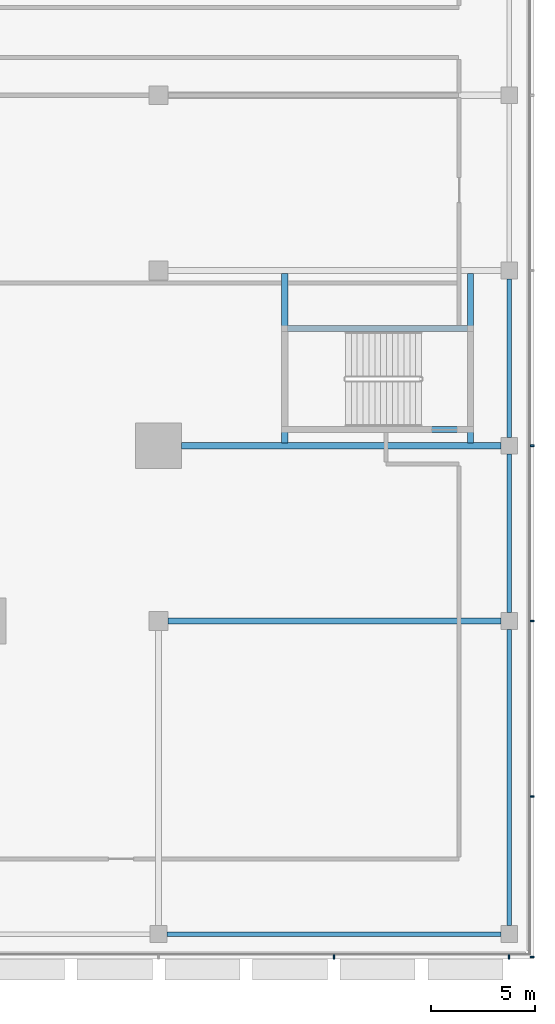
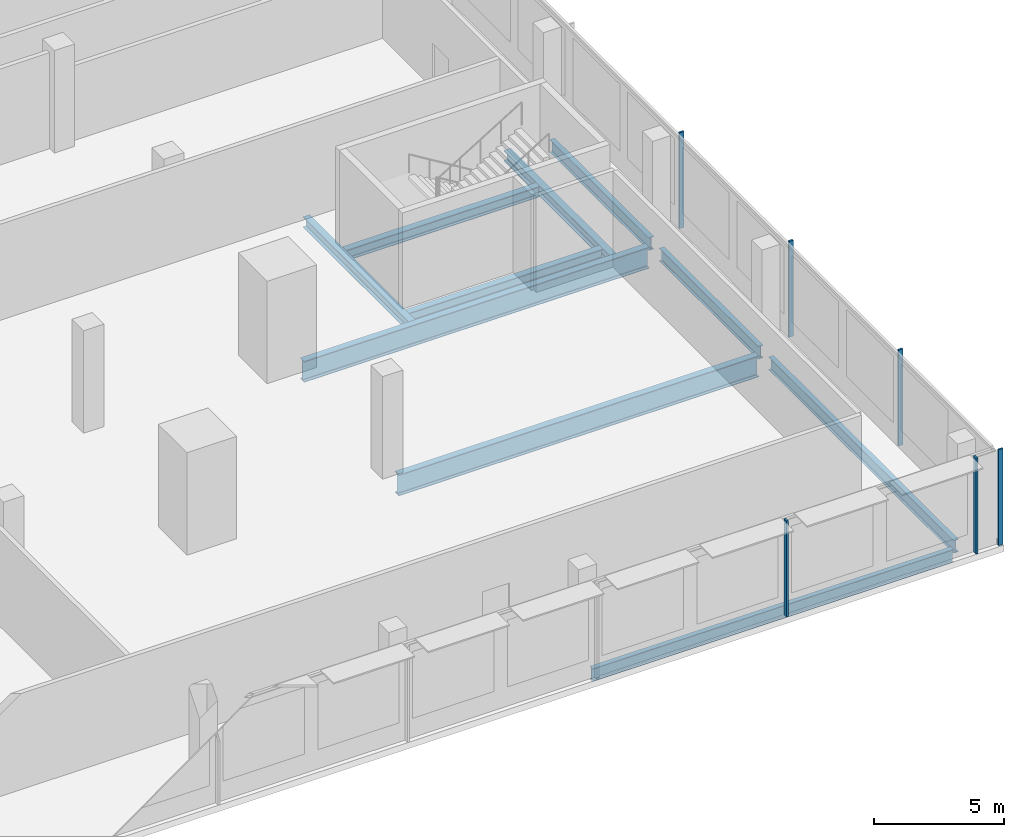
# One storey, part 12 of 39: 10 beams, 6 members, 2 elements without a shape of their own.
"""IFC4 building model written with IfcOpenShell, lengths in metres."""

import ifcopenshell
import ifcopenshell.guid

model = None  # the IFC model being written
_history = None  # IfcOwnerHistory: only IFC2X3 demands one
_inside = {}  # id of a spatial element -> (the spatial element, [elements in it])
_under = {}  # id of a project, library or spatial element -> (it, [spatial elements below it])
_declared = {}  # id of a project -> (the project, [libraries it declares])
_typed = {}  # id of a type object -> (the type object, [elements of that type])
_made_of = {}  # id of a material, layer set ... -> (it, [elements and type objects made of it])


def new_model(schema):
    """Start an empty IFC model of exactly this schema.

    Asked for "IFC4X3", IfcOpenShell would pick the latest addendum, in which some entities
    have other attributes; the version numbers below select the first issue.
    IFC2X3 requires an IfcOwnerHistory on every rooted entity: one is made here for all.
    """
    global model, _history
    if schema == "IFC4X3":
        model = ifcopenshell.file(schema_version=(4, 3, 0, 0))
    else:
        model = ifcopenshell.file(schema=schema)
    _inside.clear()
    _under.clear()
    _declared.clear()
    _typed.clear()
    _made_of.clear()
    _history = None
    if model.schema == "IFC2X3":
        org = make("IfcOrganization", Name="unknown")
        user = make(
            "IfcPersonAndOrganization",
            ThePerson=make("IfcPerson", FamilyName="unknown"),
            TheOrganization=org,
        )
        app = make(
            "IfcApplication",
            ApplicationDeveloper=org,
            Version="unknown",
            ApplicationFullName="unknown",
            ApplicationIdentifier="unknown",
        )
        _history = make(
            "IfcOwnerHistory",
            OwningUser=user,
            OwningApplication=app,
            ChangeAction="ADDED",
            CreationDate=0,
        )
    return model


def make(cls, **values):
    """One entity of the class cls with the attributes given. An attribute that is None is left unset."""
    return model.create_entity(
        cls, **{name: value for name, value in values.items() if value is not None}
    )


def rooted(cls, **values):
    """An entity with a GlobalId (a new one), such as an element, a storey or a relation."""
    return make(cls, GlobalId=ifcopenshell.guid.new(), OwnerHistory=_history, **values)


def si_unit(unit_type, name, prefix=None):
    """IfcSIUnit, for example si_unit("LENGTHUNIT", "METRE", prefix="MILLI")."""
    return make("IfcSIUnit", UnitType=unit_type, Prefix=prefix, Name=name)


def assignment(units):
    """IfcUnitAssignment: the units of a project."""
    return None if units is None else make("IfcUnitAssignment", Units=units)


def point(xyz):
    """IfcCartesianPoint."""
    return None if xyz is None else make("IfcCartesianPoint", Coordinates=xyz)


def direction(xyz):
    """IfcDirection."""
    return None if xyz is None else make("IfcDirection", DirectionRatios=xyz)


def frame(location, z_axis=None, x_axis=None):
    """IfcAxis2Placement3D, a coordinate frame: its origin and axes. An axis left out is left unset."""
    return make(
        "IfcAxis2Placement3D",
        Location=point(location),
        Axis=direction(z_axis),
        RefDirection=direction(x_axis),
    )


def frame_2d(location, x_axis=None):
    """IfcAxis2Placement2D, a coordinate frame in the plane: its origin and x axis."""
    return make(
        "IfcAxis2Placement2D", Location=point(location), RefDirection=direction(x_axis)
    )


def origin():
    """The frame at (0, 0, 0) with its axes left unset."""
    return frame((0.0, 0.0, 0.0))


def origin_2d():
    """The frame at (0, 0) in the plane with its x axis left unset."""
    return frame_2d((0.0, 0.0))


def place(relative_to, where):
    """IfcLocalPlacement: puts the frame where relative to a parent placement (None: the world)."""
    return make(
        "IfcLocalPlacement", PlacementRelTo=relative_to, RelativePlacement=where
    )


def context(
    kind, dimensions, precision=None, world=None, true_north=None, identifier=None
):
    """IfcGeometricRepresentationContext, for example the 3D "Model" context."""
    return make(
        "IfcGeometricRepresentationContext",
        ContextIdentifier=identifier,
        ContextType=kind,
        CoordinateSpaceDimension=dimensions,
        Precision=precision,
        WorldCoordinateSystem=world,
        TrueNorth=true_north,
    )


def subcontext(parent, identifier, kind, view, scale=None):
    """IfcGeometricRepresentationSubContext, for example "Body" below "Model"."""
    return make(
        "IfcGeometricRepresentationSubContext",
        ContextIdentifier=identifier,
        ContextType=kind,
        ParentContext=parent,
        TargetScale=scale,
        TargetView=view,
    )


def project(units=None, contexts=None):
    """IfcProject with its units and contexts."""
    return rooted(
        "IfcProject",
        Name="project",
        RepresentationContexts=contexts,
        UnitsInContext=assignment(units),
    )


def spatial(cls, under=None, at=None, **own):
    """A site, building, storey or space (cls), placed at a placement, below another one or the project."""
    s = rooted(cls, ObjectPlacement=at, **own)
    if under is not None:
        _under.setdefault(under.id(), (under, []))[1].append(s)
    return s


def profile(cls, at=None, kind="AREA", **sizes):
    """A parametric profile (cls). Its sizes go by their IFC names, for example OverallWidth=200.0."""
    return make(cls, ProfileType=kind, Position=at, **sizes)


def rectangle(**sizes):
    """IfcRectangleProfileDef."""
    return profile("IfcRectangleProfileDef", **sizes)


def i_section(**sizes):
    """IfcIShapeProfileDef."""
    return profile("IfcIShapeProfileDef", **sizes)


def extrude(swept, where, along, depth):
    """IfcExtrudedAreaSolid: the profile swept, set in the frame where, extruded along a direction by depth."""
    return make(
        "IfcExtrudedAreaSolid",
        SweptArea=swept,
        Position=where,
        ExtrudedDirection=direction(along),
        Depth=depth,
    )


def shape(context_of_items, identifier, shape_type, items):
    """IfcShapeRepresentation: the items that make up one representation, for example the "Body"."""
    return make(
        "IfcShapeRepresentation",
        ContextOfItems=context_of_items,
        RepresentationIdentifier=identifier,
        RepresentationType=shape_type,
        Items=items,
    )


def material(Name=None, Category=None):
    """IfcMaterial."""
    return make("IfcMaterial", Name=Name, Category=Category)


def material_profile(
    of_material, cross_section, Name=None, Category=None, Priority=None
):
    """IfcMaterialProfile: a cross section and its material."""
    return make(
        "IfcMaterialProfile",
        Name=Name,
        Material=of_material,
        Profile=cross_section,
        Priority=Priority,
        Category=Category,
    )


def profile_set(profiles, Name=None, composite=None):
    """IfcMaterialProfileSet."""
    return make(
        "IfcMaterialProfileSet",
        Name=Name,
        MaterialProfiles=profiles,
        CompositeProfile=composite,
    )


def made_of(thing, what):
    """Note that an element or type object is made of a material, layer set ...; save() writes the relation."""
    if what is not None:
        _made_of.setdefault(what.id(), (what, []))[1].append(thing)
    return thing


def type_object(cls, material=None, **own):
    """A type object (cls), such as IfcWallType, which elements share."""
    return made_of(rooted(cls, **own), material)


def element(
    cls,
    number,
    at=None,
    inside=None,
    cuts=None,
    type_object=None,
    material=None,
    context=None,
    identifier="Body",
    shape_type=None,
    held_by="IfcProductDefinitionShape",
    body=None,
    shapes=None,
    **own,
):
    """One element of the class cls, such as IfcWall. Its Tag is "e" and its number.

    at: its placement. inside: the storey or other place that contains it. cuts: it is an
    opening in that element (IfcRelVoidsElement). A single representation is given by context,
    identifier, shape_type and body (its items); several are given by shapes. held_by: the class
    of the entity that holds the representations. save() writes the other relations.
    """
    e = rooted(cls, Tag="e%d" % number, ObjectPlacement=at, **own)
    if body is not None:
        shapes = [shape(context, identifier, shape_type, body)]
    if shapes is not None:
        e.Representation = make(held_by, Representations=shapes)
    if inside is not None:
        _inside.setdefault(inside.id(), (inside, []))[1].append(e)
    if cuts is not None:
        rooted(
            "IfcRelVoidsElement", RelatingBuildingElement=cuts, RelatedOpeningElement=e
        )
    if type_object is not None:
        _typed.setdefault(type_object.id(), (type_object, []))[1].append(e)
    return made_of(e, material)


def aggregate(whole, parts):
    """IfcRelAggregates: a whole, such as a stair, and the parts it consists of."""
    return rooted("IfcRelAggregates", RelatingObject=whole, RelatedObjects=parts)


def save(model, path):
    """Write the relations noted so far, then the file.

    IfcRelAggregates (storeys below a building ...), IfcRelContainedInSpatialStructure (elements
    in a storey), IfcRelDefinesByType, IfcRelAssociatesMaterial and IfcRelDeclares: one each for
    every whole, place, type object, material and project.
    """
    for whole, parts in _under.values():
        aggregate(whole, parts)
    for where, things in _inside.values():
        rooted(
            "IfcRelContainedInSpatialStructure",
            RelatedElements=things,
            RelatingStructure=where,
        )
    for kind, things in _typed.values():
        rooted("IfcRelDefinesByType", RelatedObjects=things, RelatingType=kind)
    for what, things in _made_of.values():
        rooted("IfcRelAssociatesMaterial", RelatedObjects=things, RelatingMaterial=what)
    for by, libraries in _declared.values():
        rooted("IfcRelDeclares", RelatingContext=by, RelatedDefinitions=libraries)
    model.write(path)


model = new_model("IFC4")

# Units and contexts
model_context = context("Model", 3, precision=1e-05, world=origin(), true_north=direction((0.0, 1.0)))
body_context = subcontext(model_context, "Body", "Model", "MODEL_VIEW")
ifc_project = project(units=[si_unit("LENGTHUNIT", "METRE"), si_unit("AREAUNIT", "SQUARE_METRE"), si_unit("VOLUMEUNIT", "CUBIC_METRE"), si_unit("PLANEANGLEUNIT", "RADIAN"), si_unit("MASSUNIT", "GRAM", prefix="KILO")], contexts=[model_context])

# Site, building, storey
site_placement = place(None, origin())
site = spatial("IfcSite", under=ifc_project, at=site_placement, CompositionType="ELEMENT")
building_placement = place(site_placement, origin())
building = spatial("IfcBuilding", under=site, at=building_placement, Name="Saffron Gate Tower", CompositionType="ELEMENT")
storey_placement = place(building_placement, frame((0.0, 0.0, 14.39990234375)))
storey = spatial("IfcBuildingStorey", under=building, at=storey_placement, Name="L02", CompositionType="ELEMENT", Elevation=14.39990234375)

# Beams
ifc_material_1 = material(Name="Structural steel S355", Category="steel")
ifc_material_profile_1 = material_profile(ifc_material_1, i_section(OverallWidth=0.219970703125, OverallDepth=0.60009765625, WebThickness=0.011962890625, FlangeThickness=0.01904296875, FilletRadius=0.02392578125, at=origin_2d()))
ifc_profile_set_1 = profile_set([ifc_material_profile_1], Name="Structural steel S355")
beam_type_1 = type_object("IfcBeamType", Name="B15 IPE 600", PredefinedType="BEAM", material=ifc_profile_set_1)
beam_1_placement = place(storey_placement, frame((125.800048828125, 16.800048828125, -0.599853515625), z_axis=(1.0, 0.0, 0.0), x_axis=(0.0, 1.0, 0.0)))
element("IfcBeam", 1, at=beam_1_placement, inside=storey, type_object=beam_type_1, Name="B15 PODIUM EDGE BEAM", PredefinedType="BEAM", context=body_context, shape_type="SweptSolid", body=[
    extrude(i_section(OverallWidth=0.219970703125, OverallDepth=0.60009765625, WebThickness=0.011962890625, FlangeThickness=0.01904296875, FilletRadius=0.02392578125, at=origin_2d()), origin(), (0.0, 0.0, 1.0), 16.0),
])
beam_2_placement = place(storey_placement, frame((142.199951171875, 17.199951171875, -0.599853515625), z_axis=(0.0, 1.0, 0.0), x_axis=(-1.0, 0.0, 0.0)))
element("IfcBeam", 2, at=beam_2_placement, inside=storey, type_object=beam_type_1, Name="B15 PODIUM EDGE BEAM", PredefinedType="BEAM", context=body_context, shape_type="SweptSolid", body=[
    extrude(i_section(OverallWidth=0.219970703125, OverallDepth=0.60009765625, WebThickness=0.011962890625, FlangeThickness=0.01904296875, FilletRadius=0.02392578125, at=origin_2d()), origin(), (0.0, 0.0, 1.0), 14.199951171875),
])
beam_3_placement = place(storey_placement, frame((142.199951171875, 32.199951171875, -0.599853515625), z_axis=(0.0, 1.0, 0.0), x_axis=(-1.0, 0.0, 0.0)))
element("IfcBeam", 3, at=beam_3_placement, inside=storey, type_object=beam_type_1, Name="B15 PODIUM EDGE BEAM", PredefinedType="BEAM", context=body_context, shape_type="SweptSolid", body=[
    extrude(i_section(OverallWidth=0.219970703125, OverallDepth=0.60009765625, WebThickness=0.011962890625, FlangeThickness=0.01904296875, FilletRadius=0.02392578125, at=origin_2d()), origin(), (0.0, 0.0, 1.0), 7.60009765625),
])
beam_4_placement = place(storey_placement, frame((142.199951171875, 40.60009765625, -0.599853515625), z_axis=(0.0, 1.0, 0.0), x_axis=(-1.0, 0.0, 0.0)))
element("IfcBeam", 4, at=beam_4_placement, inside=storey, type_object=beam_type_1, Name="B15 PODIUM EDGE BEAM", PredefinedType="BEAM", context=body_context, shape_type="SweptSolid", body=[
    extrude(i_section(OverallWidth=0.219970703125, OverallDepth=0.60009765625, WebThickness=0.011962890625, FlangeThickness=0.01904296875, FilletRadius=0.02392578125, at=origin_2d()), origin(), (0.0, 0.0, 1.0), 7.599853515625),
])
ifc_material_profile_2 = material_profile(ifc_material_1, i_section(OverallWidth=0.300048828125, OverallDepth=0.989990234375, WebThickness=0.0166015625, FlangeThickness=0.031005859375, FilletRadius=0.030029296875, at=origin_2d()))
ifc_profile_set_2 = profile_set([ifc_material_profile_2], Name="Structural steel S355")
beam_type_2 = type_object("IfcBeamType", Name="B21 HEA 1000", PredefinedType="BEAM", material=ifc_profile_set_2)
beam_5_placement = place(storey_placement, frame((141.800048828125, 31.800048828125, -0.794921875), z_axis=(-1.0, 0.0, 0.0), x_axis=(0.0, -1.0, 0.0)))
element("IfcBeam", 5, at=beam_5_placement, inside=storey, type_object=beam_type_2, Name="B21 PODIUM RING GIRDER", PredefinedType="BEAM", context=body_context, shape_type="SweptSolid", body=[
    extrude(i_section(OverallWidth=0.300048828125, OverallDepth=0.989990234375, WebThickness=0.0166015625, FlangeThickness=0.031005859375, FilletRadius=0.030029296875, at=origin_2d()), origin(), (0.0, 0.0, 1.0), 15.949951171875),
])
beam_6_placement = place(storey_placement, frame((141.800048828125, 40.199951171875, -0.794921875), z_axis=(-1.0, 0.0, 0.0), x_axis=(0.0, -1.0, 0.0)))
element("IfcBeam", 6, at=beam_6_placement, inside=storey, type_object=beam_type_2, Name="B21 PODIUM RING GIRDER", PredefinedType="BEAM", context=body_context, shape_type="SweptSolid", body=[
    extrude(i_section(OverallWidth=0.300048828125, OverallDepth=0.989990234375, WebThickness=0.0166015625, FlangeThickness=0.031005859375, FilletRadius=0.030029296875, at=origin_2d()), origin(), (0.0, 0.0, 1.0), 15.300048828125),
])
ifc_material_profile_3 = material_profile(ifc_material_1, i_section(OverallWidth=0.300048828125, OverallDepth=0.5, WebThickness=0.014404296875, FlangeThickness=0.028076171875, FilletRadius=0.027099609375, at=origin_2d()))
ifc_profile_set_3 = profile_set([ifc_material_profile_3], Name="Structural steel S355")
beam_type_3 = type_object("IfcBeamType", Name="B9 HEB 500", PredefinedType="BEAM", material=ifc_profile_set_3)
for number, where, z_axis, x_axis, name in (
    (7, (131.449951171875, 40.340087890625, -0.5498046875), (0.0, 1.0, 0.0), (-1.0, 0.0, 0.0), "B9 STAIR ENCLOSURE HEADER BEAM"),
    (8, (140.35009765625, 40.340087890625, -0.5498046875), (0.0, 1.0, 0.0), (-1.0, 0.0, 0.0), "B9 STAIR ENCLOSURE HEADER BEAM"),
):
    element("IfcBeam", number, at=place(storey_placement, frame(where, z_axis=z_axis, x_axis=x_axis)), inside=storey, type_object=beam_type_3, Name=name, PredefinedType="BEAM", context=body_context, shape_type="SweptSolid", body=[
        extrude(i_section(OverallWidth=0.300048828125, OverallDepth=0.5, WebThickness=0.014404296875, FlangeThickness=0.028076171875, FilletRadius=0.027099609375, at=origin_2d()), origin(), (0.0, 0.0, 1.0), 8.119873046875),
    ])
for number, where, z_axis, x_axis, name in (
    (9, (131.590087890625, 40.97509765625, -0.5498046875), (1.0, 0.0, 0.0), (0.0, 1.0, 0.0), "B9 STAIR ENCLOSURE TRIMMER BEAM"),
    (10, (131.590087890625, 45.824951171875, -0.5498046875), (1.0, 0.0, 0.0), (0.0, 1.0, 0.0), "B9 STAIR ENCLOSURE TRIMMER BEAM"),
):
    element("IfcBeam", number, at=place(storey_placement, frame(where, z_axis=z_axis, x_axis=x_axis)), inside=storey, type_object=beam_type_3, Name=name, PredefinedType="BEAM", context=body_context, shape_type="SweptSolid", body=[
        extrude(i_section(OverallWidth=0.300048828125, OverallDepth=0.5, WebThickness=0.014404296875, FlangeThickness=0.028076171875, FilletRadius=0.027099609375, at=origin_2d()), origin(), (0.0, 0.0, 1.0), 8.619873046875),
    ])

# Curtain wall, members
ifc_material_2 = material(Name="Aluminium, bronze anodised", Category="aluminium")
curtain_wall_type = type_object("IfcCurtainWallType", Name="CWS5 curtain wall podium ring base", PredefinedType="NOTDEFINED", material=ifc_material_2)
curtain_wall_1_placement = place(storey_placement, origin())
curtain_wall_1 = element("IfcCurtainWall", 11, at=curtain_wall_1_placement, inside=storey, type_object=curtain_wall_type, Name="CWS5 run 1", PredefinedType="NOTDEFINED")
ifc_material_profile_4 = material_profile(ifc_material_2, rectangle(XDim=0.199951171875, YDim=0.080078125, at=origin_2d()))
ifc_profile_set_4 = profile_set([ifc_material_profile_4], Name="Aluminium, bronze anodised")
member_type = type_object("IfcMemberType", Name="CWS5 mullion 80x200", PredefinedType="MULLION", material=ifc_profile_set_4)
member_1_placement = place(storey_placement, frame((133.800048828125, 15.699951171875, 0.0), z_axis=(0.0, 0.0, 1.0), x_axis=(0.0, 1.0, 0.0)))
member_1 = element("IfcMember", 12, at=member_1_placement, type_object=member_type, Name="CWS5 mullion 14", PredefinedType="MULLION", context=body_context, shape_type="SweptSolid", body=[
    extrude(rectangle(XDim=0.199951171875, YDim=0.080078125, at=origin_2d()), origin(), (0.0, 0.0, 1.0), 4.5),
])
member_2_placement = place(storey_placement, frame((142.199951171875, 15.699951171875, 0.0), z_axis=(0.0, 0.0, 1.0), x_axis=(0.0, 1.0, 0.0)))
member_2 = element("IfcMember", 13, at=member_2_placement, type_object=member_type, Name="CWS5 mullion 15", PredefinedType="MULLION", context=body_context, shape_type="SweptSolid", body=[
    extrude(rectangle(XDim=0.199951171875, YDim=0.080078125, at=origin_2d()), origin(), (0.0, 0.0, 1.0), 4.5),
])
aggregate(curtain_wall_1, [member_1, member_2])

curtain_wall_2_placement = place(storey_placement, origin())
curtain_wall_2 = element("IfcCurtainWall", 14, at=curtain_wall_2_placement, inside=storey, type_object=curtain_wall_type, Name="CWS5 run 2", PredefinedType="NOTDEFINED")
member_3_placement = place(storey_placement, frame((143.300048828125, 15.699951171875, 0.0), z_axis=(0.0, 0.0, 1.0), x_axis=(-1.0, 0.0, 0.0)))
member_3 = element("IfcMember", 15, at=member_3_placement, type_object=member_type, Name="CWS5 mullion 1", PredefinedType="MULLION", context=body_context, shape_type="SweptSolid", body=[
    extrude(rectangle(XDim=0.199951171875, YDim=0.080078125, at=origin_2d()), origin(), (0.0, 0.0, 1.0), 4.5),
])
member_4_placement = place(storey_placement, frame((143.300048828125, 23.39990234375, 0.0), z_axis=(0.0, 0.0, 1.0), x_axis=(-1.0, 0.0, 0.0)))
member_4 = element("IfcMember", 16, at=member_4_placement, type_object=member_type, Name="CWS5 mullion 2", PredefinedType="MULLION", context=body_context, shape_type="SweptSolid", body=[
    extrude(rectangle(XDim=0.199951171875, YDim=0.080078125, at=origin_2d()), origin(), (0.0, 0.0, 1.0), 4.5),
])
member_5_placement = place(storey_placement, frame((143.300048828125, 31.800048828125, 0.0), z_axis=(0.0, 0.0, 1.0), x_axis=(-1.0, 0.0, 0.0)))
member_5 = element("IfcMember", 17, at=member_5_placement, type_object=member_type, Name="CWS5 mullion 3", PredefinedType="MULLION", context=body_context, shape_type="SweptSolid", body=[
    extrude(rectangle(XDim=0.199951171875, YDim=0.080078125, at=origin_2d()), origin(), (0.0, 0.0, 1.0), 4.5),
])
member_6_placement = place(storey_placement, frame((143.300048828125, 40.199951171875, 0.0), z_axis=(0.0, 0.0, 1.0), x_axis=(-1.0, 0.0, 0.0)))
member_6 = element("IfcMember", 18, at=member_6_placement, type_object=member_type, Name="CWS5 mullion 4", PredefinedType="MULLION", context=body_context, shape_type="SweptSolid", body=[
    extrude(rectangle(XDim=0.199951171875, YDim=0.080078125, at=origin_2d()), origin(), (0.0, 0.0, 1.0), 4.5),
])
aggregate(curtain_wall_2, [member_3, member_4, member_5, member_6])

save(model, "model.ifc")
